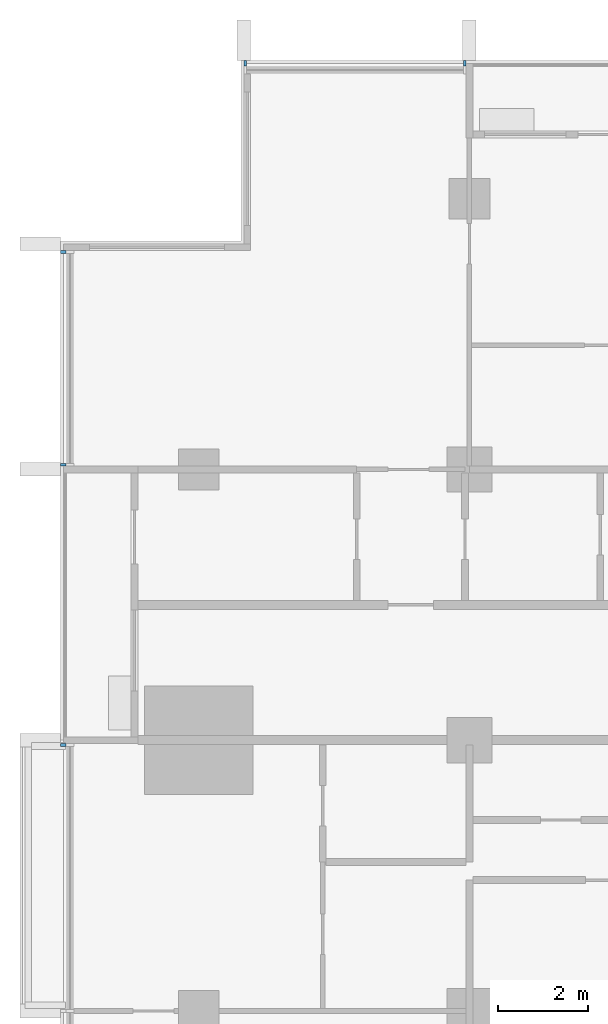
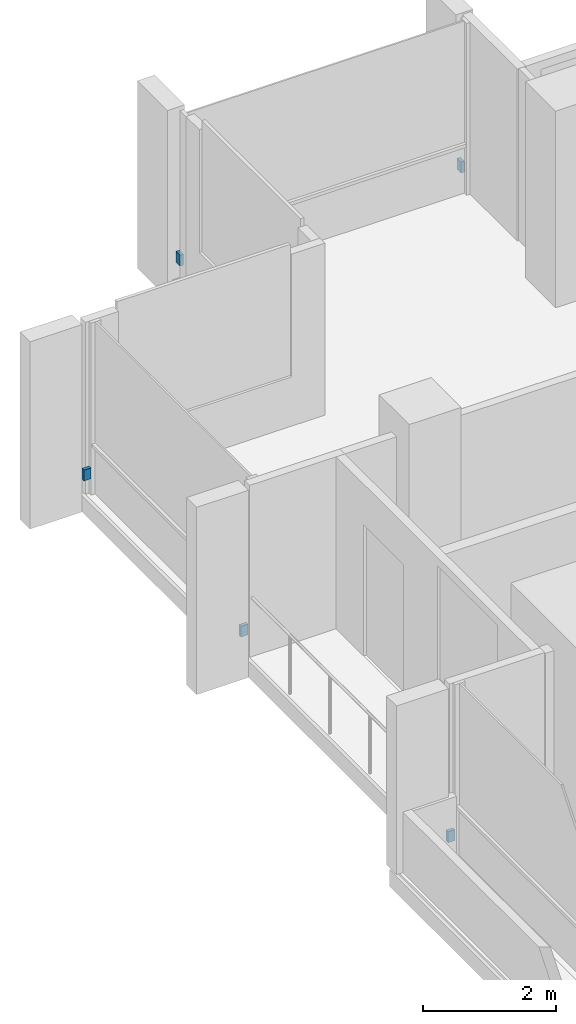
# One storey, part 15 of 17: 5 discrete accessories.
"""IFC4 building model written with IfcOpenShell, lengths in metres."""

from ifc_helpers import new_model, si_unit, direction, frame, origin, origin_2d, place, context, subcontext, project, spatial, rectangle, extrude, material, type_object, element, save


model = new_model("IFC4")

# Units and contexts
model_context = context("Model", 3, precision=1e-05, world=origin(), true_north=direction((0.0, 1.0)))
body_context = subcontext(model_context, "Body", "Model", "MODEL_VIEW")
ifc_project = project(units=[si_unit("LENGTHUNIT", "METRE"), si_unit("AREAUNIT", "SQUARE_METRE"), si_unit("VOLUMEUNIT", "CUBIC_METRE"), si_unit("PLANEANGLEUNIT", "RADIAN"), si_unit("MASSUNIT", "GRAM", prefix="KILO")], contexts=[model_context])

# Site, building, storey
site_placement = place(None, origin())
site = spatial("IfcSite", under=ifc_project, at=site_placement, CompositionType="ELEMENT")
building_placement = place(site_placement, origin())
building = spatial("IfcBuilding", under=site, at=building_placement, Name="Finial Court Residences", CompositionType="ELEMENT")
storey_placement = place(building_placement, frame((0.0, 0.0, 196.10009765625)))
storey = spatial("IfcBuildingStorey", under=building, at=storey_placement, Name="L49", CompositionType="ELEMENT", Elevation=196.10009765625)

# Discrete accessories
ifc_material = material(Name="Stainless steel 316", Category="steel")
discrete_accessory_type = type_object("IfcDiscreteAccessoryType", Name="Fin bracket, stainless steel 60 x 122 x 200", PredefinedType="BRACKET", material=ifc_material)
for number, where, z_axis, x_axis, name in (
    (1, (-15.469970703125, 22.498779296875, 0.2998046875), (0.0, 0.0, 1.0), (1.0, 0.0, 0.0), "E-L49-FIN-N1-BRK"),
    (2, (-10.60498046875, 22.498779296875, 0.2998046875), (0.0, 0.0, 1.0), (1.0, 0.0, 0.0), "E-L49-FIN-N2-BRK"),
):
    element("IfcDiscreteAccessory", number, at=place(storey_placement, frame(where, z_axis=z_axis, x_axis=x_axis)), inside=storey, type_object=discrete_accessory_type, Name=name, PredefinedType="BRACKET", context=body_context, shape_type="SweptSolid", body=[
        extrude(rectangle(XDim=0.06005859375, YDim=0.12255859375, at=origin_2d()), origin(), (0.0, 0.0, 1.0), 0.199951171875),
    ])
for number, where, z_axis, x_axis, name in (
    (3, (-19.498779296875, 7.39501953125, 0.2998046875), (0.0, 0.0, 1.0), (1.0, 0.0, 0.0), "E-L49-FIN-W26-BRK"),
    (4, (-19.498779296875, 13.60498046875, 0.2998046875), (0.0, 0.0, 1.0), (1.0, 0.0, 0.0), "E-L49-FIN-W27-BRK"),
    (5, (-19.498779296875, 18.320068359375, 0.2998046875), (0.0, 0.0, 1.0), (1.0, 0.0, 0.0), "E-L49-FIN-W28-BRK"),
):
    element("IfcDiscreteAccessory", number, at=place(storey_placement, frame(where, z_axis=z_axis, x_axis=x_axis)), inside=storey, type_object=discrete_accessory_type, Name=name, PredefinedType="BRACKET", context=body_context, shape_type="SweptSolid", body=[
        extrude(rectangle(XDim=0.12255859375, YDim=0.06005859375, at=origin_2d()), origin(), (0.0, 0.0, 1.0), 0.199951171875),
    ])

save(model, "model.ifc")
